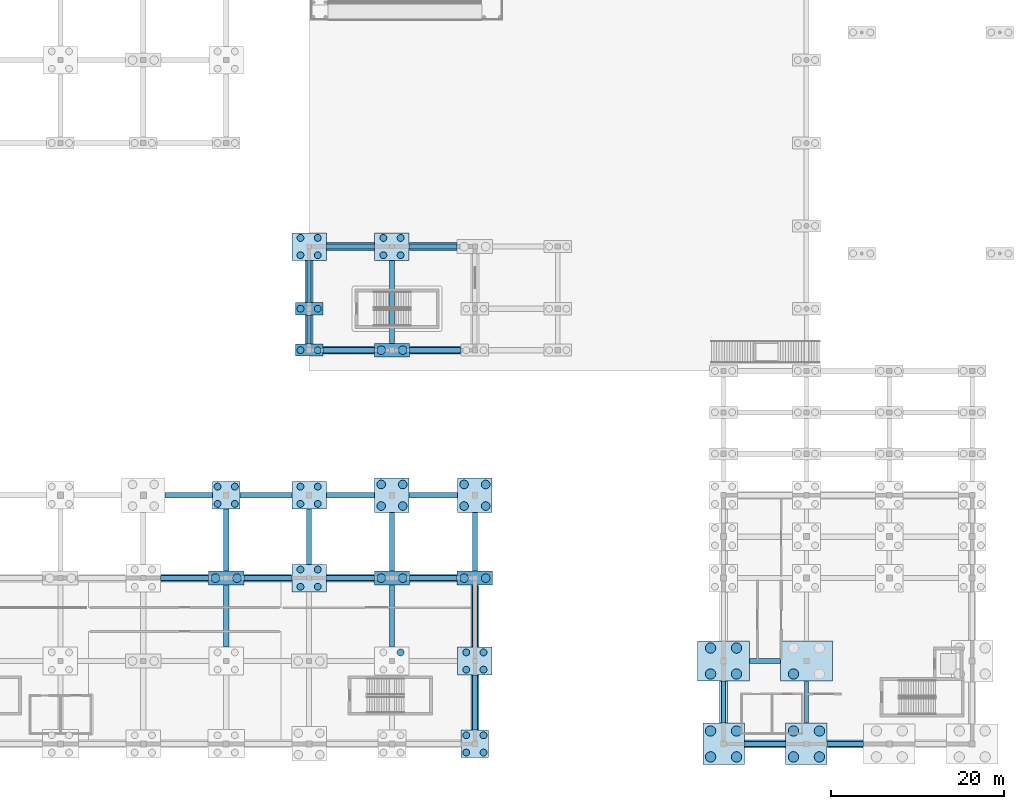
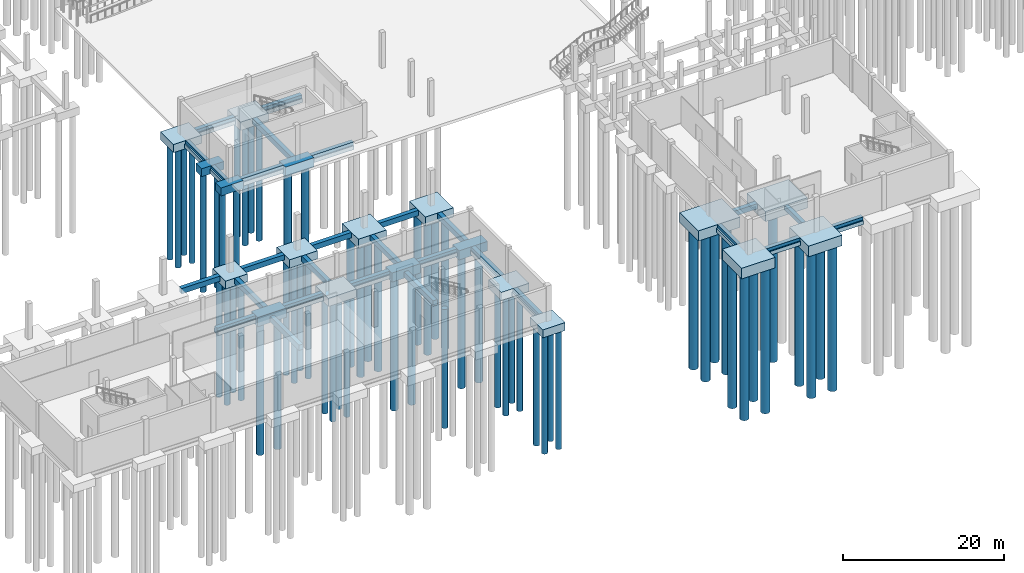
# One storey, part 2 of 41: 62 footings, 62 piles.
"""IFC4 building model written with IfcOpenShell, lengths in metres."""

import ifcopenshell
import ifcopenshell.guid

model = None  # the IFC model being written
_history = None  # IfcOwnerHistory: only IFC2X3 demands one
_inside = {}  # id of a spatial element -> (the spatial element, [elements in it])
_under = {}  # id of a project, library or spatial element -> (it, [spatial elements below it])
_declared = {}  # id of a project -> (the project, [libraries it declares])
_typed = {}  # id of a type object -> (the type object, [elements of that type])
_made_of = {}  # id of a material, layer set ... -> (it, [elements and type objects made of it])


def new_model(schema):
    """Start an empty IFC model of exactly this schema.

    Asked for "IFC4X3", IfcOpenShell would pick the latest addendum, in which some entities
    have other attributes; the version numbers below select the first issue.
    IFC2X3 requires an IfcOwnerHistory on every rooted entity: one is made here for all.
    """
    global model, _history
    if schema == "IFC4X3":
        model = ifcopenshell.file(schema_version=(4, 3, 0, 0))
    else:
        model = ifcopenshell.file(schema=schema)
    _inside.clear()
    _under.clear()
    _declared.clear()
    _typed.clear()
    _made_of.clear()
    _history = None
    if model.schema == "IFC2X3":
        org = make("IfcOrganization", Name="unknown")
        user = make(
            "IfcPersonAndOrganization",
            ThePerson=make("IfcPerson", FamilyName="unknown"),
            TheOrganization=org,
        )
        app = make(
            "IfcApplication",
            ApplicationDeveloper=org,
            Version="unknown",
            ApplicationFullName="unknown",
            ApplicationIdentifier="unknown",
        )
        _history = make(
            "IfcOwnerHistory",
            OwningUser=user,
            OwningApplication=app,
            ChangeAction="ADDED",
            CreationDate=0,
        )
    return model


def make(cls, **values):
    """One entity of the class cls with the attributes given. An attribute that is None is left unset."""
    return model.create_entity(
        cls, **{name: value for name, value in values.items() if value is not None}
    )


def rooted(cls, **values):
    """An entity with a GlobalId (a new one), such as an element, a storey or a relation."""
    return make(cls, GlobalId=ifcopenshell.guid.new(), OwnerHistory=_history, **values)


def si_unit(unit_type, name, prefix=None):
    """IfcSIUnit, for example si_unit("LENGTHUNIT", "METRE", prefix="MILLI")."""
    return make("IfcSIUnit", UnitType=unit_type, Prefix=prefix, Name=name)


def assignment(units):
    """IfcUnitAssignment: the units of a project."""
    return None if units is None else make("IfcUnitAssignment", Units=units)


def point(xyz):
    """IfcCartesianPoint."""
    return None if xyz is None else make("IfcCartesianPoint", Coordinates=xyz)


def direction(xyz):
    """IfcDirection."""
    return None if xyz is None else make("IfcDirection", DirectionRatios=xyz)


def frame(location, z_axis=None, x_axis=None):
    """IfcAxis2Placement3D, a coordinate frame: its origin and axes. An axis left out is left unset."""
    return make(
        "IfcAxis2Placement3D",
        Location=point(location),
        Axis=direction(z_axis),
        RefDirection=direction(x_axis),
    )


def frame_2d(location, x_axis=None):
    """IfcAxis2Placement2D, a coordinate frame in the plane: its origin and x axis."""
    return make(
        "IfcAxis2Placement2D", Location=point(location), RefDirection=direction(x_axis)
    )


def origin():
    """The frame at (0, 0, 0) with its axes left unset."""
    return frame((0.0, 0.0, 0.0))


def origin_2d():
    """The frame at (0, 0) in the plane with its x axis left unset."""
    return frame_2d((0.0, 0.0))


def place(relative_to, where):
    """IfcLocalPlacement: puts the frame where relative to a parent placement (None: the world)."""
    return make(
        "IfcLocalPlacement", PlacementRelTo=relative_to, RelativePlacement=where
    )


def context(
    kind, dimensions, precision=None, world=None, true_north=None, identifier=None
):
    """IfcGeometricRepresentationContext, for example the 3D "Model" context."""
    return make(
        "IfcGeometricRepresentationContext",
        ContextIdentifier=identifier,
        ContextType=kind,
        CoordinateSpaceDimension=dimensions,
        Precision=precision,
        WorldCoordinateSystem=world,
        TrueNorth=true_north,
    )


def subcontext(parent, identifier, kind, view, scale=None):
    """IfcGeometricRepresentationSubContext, for example "Body" below "Model"."""
    return make(
        "IfcGeometricRepresentationSubContext",
        ContextIdentifier=identifier,
        ContextType=kind,
        ParentContext=parent,
        TargetScale=scale,
        TargetView=view,
    )


def project(units=None, contexts=None):
    """IfcProject with its units and contexts."""
    return rooted(
        "IfcProject",
        Name="project",
        RepresentationContexts=contexts,
        UnitsInContext=assignment(units),
    )


def spatial(cls, under=None, at=None, **own):
    """A site, building, storey or space (cls), placed at a placement, below another one or the project."""
    s = rooted(cls, ObjectPlacement=at, **own)
    if under is not None:
        _under.setdefault(under.id(), (under, []))[1].append(s)
    return s


def profile(cls, at=None, kind="AREA", **sizes):
    """A parametric profile (cls). Its sizes go by their IFC names, for example OverallWidth=200.0."""
    return make(cls, ProfileType=kind, Position=at, **sizes)


def rectangle(**sizes):
    """IfcRectangleProfileDef."""
    return profile("IfcRectangleProfileDef", **sizes)


def circle(**sizes):
    """IfcCircleProfileDef."""
    return profile("IfcCircleProfileDef", **sizes)


def extrude(swept, where, along, depth):
    """IfcExtrudedAreaSolid: the profile swept, set in the frame where, extruded along a direction by depth."""
    return make(
        "IfcExtrudedAreaSolid",
        SweptArea=swept,
        Position=where,
        ExtrudedDirection=direction(along),
        Depth=depth,
    )


def shape(context_of_items, identifier, shape_type, items):
    """IfcShapeRepresentation: the items that make up one representation, for example the "Body"."""
    return make(
        "IfcShapeRepresentation",
        ContextOfItems=context_of_items,
        RepresentationIdentifier=identifier,
        RepresentationType=shape_type,
        Items=items,
    )


def material(Name=None, Category=None):
    """IfcMaterial."""
    return make("IfcMaterial", Name=Name, Category=Category)


def material_profile(
    of_material, cross_section, Name=None, Category=None, Priority=None
):
    """IfcMaterialProfile: a cross section and its material."""
    return make(
        "IfcMaterialProfile",
        Name=Name,
        Material=of_material,
        Profile=cross_section,
        Priority=Priority,
        Category=Category,
    )


def profile_set(profiles, Name=None, composite=None):
    """IfcMaterialProfileSet."""
    return make(
        "IfcMaterialProfileSet",
        Name=Name,
        MaterialProfiles=profiles,
        CompositeProfile=composite,
    )


def made_of(thing, what):
    """Note that an element or type object is made of a material, layer set ...; save() writes the relation."""
    if what is not None:
        _made_of.setdefault(what.id(), (what, []))[1].append(thing)
    return thing


def type_object(cls, material=None, **own):
    """A type object (cls), such as IfcWallType, which elements share."""
    return made_of(rooted(cls, **own), material)


def element(
    cls,
    number,
    at=None,
    inside=None,
    cuts=None,
    type_object=None,
    material=None,
    context=None,
    identifier="Body",
    shape_type=None,
    held_by="IfcProductDefinitionShape",
    body=None,
    shapes=None,
    **own,
):
    """One element of the class cls, such as IfcWall. Its Tag is "e" and its number.

    at: its placement. inside: the storey or other place that contains it. cuts: it is an
    opening in that element (IfcRelVoidsElement). A single representation is given by context,
    identifier, shape_type and body (its items); several are given by shapes. held_by: the class
    of the entity that holds the representations. save() writes the other relations.
    """
    e = rooted(cls, Tag="e%d" % number, ObjectPlacement=at, **own)
    if body is not None:
        shapes = [shape(context, identifier, shape_type, body)]
    if shapes is not None:
        e.Representation = make(held_by, Representations=shapes)
    if inside is not None:
        _inside.setdefault(inside.id(), (inside, []))[1].append(e)
    if cuts is not None:
        rooted(
            "IfcRelVoidsElement", RelatingBuildingElement=cuts, RelatedOpeningElement=e
        )
    if type_object is not None:
        _typed.setdefault(type_object.id(), (type_object, []))[1].append(e)
    return made_of(e, material)


def aggregate(whole, parts):
    """IfcRelAggregates: a whole, such as a stair, and the parts it consists of."""
    return rooted("IfcRelAggregates", RelatingObject=whole, RelatedObjects=parts)


def save(model, path):
    """Write the relations noted so far, then the file.

    IfcRelAggregates (storeys below a building ...), IfcRelContainedInSpatialStructure (elements
    in a storey), IfcRelDefinesByType, IfcRelAssociatesMaterial and IfcRelDeclares: one each for
    every whole, place, type object, material and project.
    """
    for whole, parts in _under.values():
        aggregate(whole, parts)
    for where, things in _inside.values():
        rooted(
            "IfcRelContainedInSpatialStructure",
            RelatedElements=things,
            RelatingStructure=where,
        )
    for kind, things in _typed.values():
        rooted("IfcRelDefinesByType", RelatedObjects=things, RelatingType=kind)
    for what, things in _made_of.values():
        rooted("IfcRelAssociatesMaterial", RelatedObjects=things, RelatingMaterial=what)
    for by, libraries in _declared.values():
        rooted("IfcRelDeclares", RelatingContext=by, RelatedDefinitions=libraries)
    model.write(path)


model = new_model("IFC4")

# Units and contexts
model_context = context("Model", 3, precision=1e-05, world=origin(), true_north=direction((0.0, 1.0)))
body_context = subcontext(model_context, "Body", "Model", "MODEL_VIEW")
ifc_project = project(units=[si_unit("LENGTHUNIT", "METRE"), si_unit("AREAUNIT", "SQUARE_METRE"), si_unit("VOLUMEUNIT", "CUBIC_METRE"), si_unit("PLANEANGLEUNIT", "RADIAN"), si_unit("MASSUNIT", "GRAM", prefix="KILO")], contexts=[model_context])

# Site, building, storey
site_placement = place(None, origin())
site = spatial("IfcSite", under=ifc_project, at=site_placement, CompositionType="ELEMENT")
building_placement = place(site_placement, origin())
building = spatial("IfcBuilding", under=site, at=building_placement, Name="Shalvenor Court Art Gallery", CompositionType="ELEMENT")
storey_placement = place(building_placement, frame((0.0, 0.0, -5.39990234375)))
storey = spatial("IfcBuildingStorey", under=building, at=storey_placement, Name="B01", CompositionType="ELEMENT", Elevation=-5.39990234375)

# Footings
ifc_material_1 = material(Name="Concrete C35/45", Category="concrete")
footing_type_1 = type_object("IfcFootingType", Name="GB-01", PredefinedType="FOOTING_BEAM", material=ifc_material_1)
for number, where, z_axis, x_axis, name in (
    (1, (38.39990234375, 14.800048828125, -1.240234375), (0.0, 0.0, 1.0), (0.0, 1.0, 0.0), "B01 Ground Tie Beam FTG-222"),
    (2, (38.39990234375, 23.60009765625, -0.80029296875), (0.0, 0.0, 1.0), (0.0, 1.0, 0.0), "B01 Ground Tie Beam FTG-223"),
):
    element("IfcFooting", number, at=place(storey_placement, frame(where, z_axis=z_axis, x_axis=x_axis)), inside=storey, type_object=footing_type_1, Name=name, PredefinedType="FOOTING_BEAM", context=body_context, shape_type="SweptSolid", body=[
        extrude(rectangle(XDim=7.199951171875, YDim=0.60009765625, at=origin_2d()), origin(), (0.0, 0.0, 1.0), 0.800048828125),
    ])
footing_1_placement = place(storey_placement, frame((48.0, 24.0, -0.80029296875), z_axis=(0.0, 0.0, 1.0), x_axis=(0.0, 1.0, 0.0)))
element("IfcFooting", 3, at=footing_1_placement, inside=storey, type_object=footing_type_1, Name="B01 Ground Tie Beam FTG-232", PredefinedType="FOOTING_BEAM", context=body_context, shape_type="SweptSolid", body=[
    extrude(rectangle(XDim=6.39990234375, YDim=0.60009765625, at=origin_2d()), origin(), (0.0, 0.0, 1.0), 0.800048828125),
])
footing_2_placement = place(storey_placement, frame((57.60009765625, 14.800048828125, -1.240234375), z_axis=(0.0, 0.0, 1.0), x_axis=(0.0, 1.0, 0.0)))
element("IfcFooting", 4, at=footing_2_placement, inside=storey, type_object=footing_type_1, Name="B01 Ground Tie Beam FTG-236", PredefinedType="FOOTING_BEAM", context=body_context, shape_type="SweptSolid", body=[
    extrude(rectangle(XDim=7.199951171875, YDim=0.60009765625, at=origin_2d()), origin(), (0.0, 0.0, 1.0), 0.800048828125),
])
footing_3_placement = place(storey_placement, frame((57.60009765625, 23.39990234375, -0.80029296875), z_axis=(0.0, 0.0, 1.0), x_axis=(0.0, 1.0, 0.0)))
element("IfcFooting", 5, at=footing_3_placement, inside=storey, type_object=footing_type_1, Name="B01 Ground Tie Beam FTG-237", PredefinedType="FOOTING_BEAM", context=body_context, shape_type="SweptSolid", body=[
    extrude(rectangle(XDim=6.800048828125, YDim=0.60009765625, at=origin_2d()), origin(), (0.0, 0.0, 1.0), 0.800048828125),
])
footing_4_placement = place(storey_placement, frame((57.60009765625, 51.199951171875, -0.80029296875), z_axis=(0.0, 0.0, 1.0), x_axis=(0.0, 1.0, 0.0)))
element("IfcFooting", 6, at=footing_4_placement, inside=storey, type_object=footing_type_1, Name="B01 Ground Tie Beam FTG-238", PredefinedType="FOOTING_BEAM", context=body_context, shape_type="SweptSolid", body=[
    extrude(rectangle(XDim=9.60009765625, YDim=0.60009765625, at=origin_2d()), origin(), (0.0, 0.0, 1.0), 0.800048828125),
])
footing_5_placement = place(storey_placement, frame((67.199951171875, 4.800048828125, -0.80029296875), z_axis=(0.0, 0.0, 1.0), x_axis=(0.0, 1.0, 0.0)))
element("IfcFooting", 7, at=footing_5_placement, inside=storey, type_object=footing_type_1, Name="B01 Ground Tie Beam FTG-242", PredefinedType="FOOTING_BEAM", context=body_context, shape_type="SweptSolid", body=[
    extrude(rectangle(XDim=6.39990234375, YDim=0.60009765625, at=origin_2d()), origin(), (0.0, 0.0, 1.0), 0.800048828125),
])
footing_6_placement = place(storey_placement, frame((67.199951171875, 14.800048828125, -0.80029296875), z_axis=(0.0, 0.0, 1.0), x_axis=(0.0, 1.0, 0.0)))
element("IfcFooting", 8, at=footing_6_placement, inside=storey, type_object=footing_type_1, Name="B01 Ground Tie Beam FTG-243", PredefinedType="FOOTING_BEAM", context=body_context, shape_type="SweptSolid", body=[
    extrude(rectangle(XDim=7.199951171875, YDim=0.60009765625, at=origin_2d()), origin(), (0.0, 0.0, 1.0), 0.800048828125),
])
footing_7_placement = place(storey_placement, frame((67.199951171875, 23.39990234375, -0.80029296875), z_axis=(0.0, 0.0, 1.0), x_axis=(0.0, 1.0, 0.0)))
element("IfcFooting", 9, at=footing_7_placement, inside=storey, type_object=footing_type_1, Name="B01 Ground Tie Beam FTG-244", PredefinedType="FOOTING_BEAM", context=body_context, shape_type="SweptSolid", body=[
    extrude(rectangle(XDim=6.800048828125, YDim=0.60009765625, at=origin_2d()), origin(), (0.0, 0.0, 1.0), 0.800048828125),
])
footing_8_placement = place(storey_placement, frame((100.800048828125, 0.0, -0.80029296875), z_axis=(0.0, 0.0, 1.0), x_axis=(1.0, 0.0, 0.0)))
element("IfcFooting", 10, at=footing_8_placement, inside=storey, type_object=footing_type_1, Name="B01 Ground Tie Beam FTG-341", PredefinedType="FOOTING_BEAM", context=body_context, shape_type="SweptSolid", body=[
    extrude(rectangle(XDim=4.800048828125, YDim=0.60009765625, at=origin_2d()), origin(), (0.0, 0.0, 1.0), 0.800048828125),
])
footing_9_placement = place(storey_placement, frame((110.10009765625, 0.0, -0.80029296875), z_axis=(0.0, 0.0, 1.0), x_axis=(1.0, 0.0, 0.0)))
element("IfcFooting", 11, at=footing_9_placement, inside=storey, type_object=footing_type_1, Name="B01 Ground Tie Beam FTG-342", PredefinedType="FOOTING_BEAM", context=body_context, shape_type="SweptSolid", body=[
    extrude(rectangle(XDim=4.199951171875, YDim=0.60009765625, at=origin_2d()), origin(), (0.0, 0.0, 1.0), 0.800048828125),
])
footing_10_placement = place(storey_placement, frame((100.800048828125, 9.60009765625, -1.240234375), z_axis=(0.0, 0.0, 1.0), x_axis=(1.0, 0.0, 0.0)))
element("IfcFooting", 12, at=footing_10_placement, inside=storey, type_object=footing_type_1, Name="B01 Ground Tie Beam FTG-351", PredefinedType="FOOTING_BEAM", context=body_context, shape_type="SweptSolid", body=[
    extrude(rectangle(XDim=3.60009765625, YDim=0.60009765625, at=origin_2d()), origin(), (0.0, 0.0, 1.0), 0.800048828125),
])
for number, where, z_axis, x_axis, name in (
    (13, (33.574951171875, 19.199951171875, -0.80029296875), (0.0, 0.0, 1.0), (1.0, 0.0, 0.0), "B01 Ground Tie Beam FTG-355"),
    (14, (43.22509765625, 19.199951171875, -0.80029296875), (0.0, 0.0, 1.0), (1.0, 0.0, 0.0), "B01 Ground Tie Beam FTG-356"),
    (15, (52.77490234375, 19.199951171875, -0.80029296875), (0.0, 0.0, 1.0), (1.0, 0.0, 0.0), "B01 Ground Tie Beam FTG-357"),
):
    element("IfcFooting", number, at=place(storey_placement, frame(where, z_axis=z_axis, x_axis=x_axis)), inside=storey, type_object=footing_type_1, Name=name, PredefinedType="FOOTING_BEAM", context=body_context, shape_type="SweptSolid", body=[
        extrude(rectangle(XDim=5.550048828125, YDim=0.60009765625, at=origin_2d()), origin(), (0.0, 0.0, 1.0), 0.800048828125),
    ])
for number, where, z_axis, x_axis, name in (
    (16, (62.39990234375, 19.199951171875, -0.80029296875), (0.0, 0.0, 1.0), (1.0, 0.0, 0.0), "B01 Ground Tie Beam FTG-358"),
    (17, (34.050048828125, 28.800048828125, -0.80029296875), (0.0, 0.0, 1.0), (1.0, 0.0, 0.0), "B01 Ground Tie Beam FTG-368"),
):
    element("IfcFooting", number, at=place(storey_placement, frame(where, z_axis=z_axis, x_axis=x_axis)), inside=storey, type_object=footing_type_1, Name=name, PredefinedType="FOOTING_BEAM", context=body_context, shape_type="SweptSolid", body=[
        extrude(rectangle(XDim=5.5, YDim=0.60009765625, at=origin_2d()), origin(), (0.0, 0.0, 1.0), 0.800048828125),
    ])
footing_11_placement = place(storey_placement, frame((43.0, 28.800048828125, -0.80029296875), z_axis=(0.0, 0.0, 1.0), x_axis=(1.0, 0.0, 0.0)))
element("IfcFooting", 18, at=footing_11_placement, inside=storey, type_object=footing_type_1, Name="B01 Ground Tie Beam FTG-369", PredefinedType="FOOTING_BEAM", context=body_context, shape_type="SweptSolid", body=[
    extrude(rectangle(XDim=6.0, YDim=0.60009765625, at=origin_2d()), origin(), (0.0, 0.0, 1.0), 0.800048828125),
])
for number, where, z_axis, x_axis, name in (
    (19, (52.800048828125, 28.800048828125, -0.80029296875), (0.0, 0.0, 1.0), (1.0, 0.0, 0.0), "B01 Ground Tie Beam FTG-370"),
    (20, (62.39990234375, 28.800048828125, -0.80029296875), (0.0, 0.0, 1.0), (1.0, 0.0, 0.0), "B01 Ground Tie Beam FTG-371"),
):
    element("IfcFooting", number, at=place(storey_placement, frame(where, z_axis=z_axis, x_axis=x_axis)), inside=storey, type_object=footing_type_1, Name=name, PredefinedType="FOOTING_BEAM", context=body_context, shape_type="SweptSolid", body=[
        extrude(rectangle(XDim=5.60009765625, YDim=0.60009765625, at=origin_2d()), origin(), (0.0, 0.0, 1.0), 0.800048828125),
    ])
for number, where, z_axis, x_axis, name in (
    (21, (52.574951171875, 45.60009765625, -0.80029296875), (0.0, 0.0, 1.0), (1.0, 0.0, 0.0), "B01 Ground Tie Beam FTG-384"),
    (22, (62.625, 45.60009765625, -0.80029296875), (0.0, 0.0, 1.0), (1.0, 0.0, 0.0), "B01 Ground Tie Beam FTG-385"),
):
    element("IfcFooting", number, at=place(storey_placement, frame(where, z_axis=z_axis, x_axis=x_axis)), inside=storey, type_object=footing_type_1, Name=name, PredefinedType="FOOTING_BEAM", context=body_context, shape_type="SweptSolid", body=[
        extrude(rectangle(XDim=5.949951171875, YDim=0.60009765625, at=origin_2d()), origin(), (0.0, 0.0, 1.0), 0.800048828125),
    ])
footing_12_placement = place(storey_placement, frame((52.800048828125, 57.60009765625, -0.80029296875), z_axis=(0.0, 0.0, 1.0), x_axis=(1.0, 0.0, 0.0)))
element("IfcFooting", 23, at=footing_12_placement, inside=storey, type_object=footing_type_1, Name="B01 Ground Tie Beam FTG-398", PredefinedType="FOOTING_BEAM", context=body_context, shape_type="SweptSolid", body=[
    extrude(rectangle(XDim=5.60009765625, YDim=0.60009765625, at=origin_2d()), origin(), (0.0, 0.0, 1.0), 0.800048828125),
])
footing_13_placement = place(storey_placement, frame((62.375, 57.60009765625, -0.80029296875), z_axis=(0.0, 0.0, 1.0), x_axis=(1.0, 0.0, 0.0)))
element("IfcFooting", 24, at=footing_13_placement, inside=storey, type_object=footing_type_1, Name="B01 Ground Tie Beam FTG-399", PredefinedType="FOOTING_BEAM", context=body_context, shape_type="SweptSolid", body=[
    extrude(rectangle(XDim=5.550048828125, YDim=0.60009765625, at=origin_2d()), origin(), (0.0, 0.0, 1.0), 0.800048828125),
])
ifc_material_2 = material(Name="Concrete C35/45", Category="concrete")
footing_type_2 = type_object("IfcFootingType", Name="GB-02", PredefinedType="FOOTING_BEAM", material=ifc_material_2)
footing_14_placement = place(storey_placement, frame((48.0, 48.0, -0.7001953125), z_axis=(0.0, 0.0, 1.0), x_axis=(0.0, 1.0, 0.0)))
element("IfcFooting", 25, at=footing_14_placement, inside=storey, type_object=footing_type_2, Name="B01 Ground Tie Beam FTG-233", PredefinedType="FOOTING_BEAM", context=body_context, shape_type="SweptSolid", body=[
    extrude(rectangle(XDim=3.39990234375, YDim=0.5, at=origin_2d()), origin(), (0.0, 0.0, 1.0), 0.699951171875),
])
for number, where, z_axis, x_axis, name in (
    (26, (48.0, 53.550048828125, -0.7001953125), (0.0, 0.0, 1.0), (0.0, 1.0, 0.0), "B01 Ground Tie Beam FTG-234"),
    (27, (96.0, 4.85009765625, -0.7001953125), (0.0, 0.0, 1.0), (0.0, 1.0, 0.0), "B01 Ground Tie Beam FTG-258"),
    (28, (105.60009765625, 4.85009765625, -1.14013671875), (0.0, 0.0, 1.0), (0.0, 1.0, 0.0), "B01 Ground Tie Beam FTG-268"),
):
    element("IfcFooting", number, at=place(storey_placement, frame(where, z_axis=z_axis, x_axis=x_axis)), inside=storey, type_object=footing_type_2, Name=name, PredefinedType="FOOTING_BEAM", context=body_context, shape_type="SweptSolid", body=[
        extrude(rectangle(XDim=4.89990234375, YDim=0.5, at=origin_2d()), origin(), (0.0, 0.0, 1.0), 0.699951171875),
    ])
ifc_material_3 = material(Name="Concrete C35/45", Category="concrete")
footing_type_3 = type_object("IfcFootingType", Name="PC-01", PredefinedType="PILE_CAP", material=ifc_material_3)
for number, where, z_axis, x_axis, name in (
    (29, (48.0, 45.60009765625, -1.2001953125), (0.0, 0.0, 1.0), (1.0, 0.0, 0.0), "B01 Pile Cap FTG-058"),
    (30, (48.0, 50.39990234375, -1.2001953125), (0.0, 0.0, 1.0), (1.0, 0.0, 0.0), "B01 Pile Cap FTG-059"),
):
    element("IfcFooting", number, at=place(storey_placement, frame(where, z_axis=z_axis, x_axis=x_axis)), inside=storey, type_object=footing_type_3, Name=name, PredefinedType="PILE_CAP", context=body_context, shape_type="SweptSolid", body=[
        extrude(rectangle(XDim=3.199951171875, YDim=1.39990234375, at=origin_2d()), origin(), (0.0, 0.0, 1.0), 1.199951171875),
    ])
ifc_material_4 = material(Name="Concrete C35/45", Category="concrete")
footing_type_4 = type_object("IfcFootingType", Name="PC-02", PredefinedType="PILE_CAP", material=ifc_material_4)
for number, where, z_axis, x_axis, name in (
    (31, (38.39990234375, 28.800048828125, -1.2001953125), (0.0, 0.0, 1.0), (1.0, 0.0, 0.0), "B01 Pile Cap FTG-046"),
    (32, (67.199951171875, 0.0, -1.2001953125), (0.0, 0.0, 1.0), (1.0, 0.0, 0.0), "B01 Pile Cap FTG-071"),
):
    element("IfcFooting", number, at=place(storey_placement, frame(where, z_axis=z_axis, x_axis=x_axis)), inside=storey, type_object=footing_type_4, Name=name, PredefinedType="PILE_CAP", context=body_context, shape_type="SweptSolid", body=[
        extrude(rectangle(XDim=3.199951171875, YDim=3.199951171875, at=origin_2d()), origin(), (0.0, 0.0, 1.0), 1.199951171875),
    ])
ifc_material_5 = material(Name="Concrete C35/45", Category="concrete")
footing_type_5 = type_object("IfcFootingType", Name="PC-03", PredefinedType="PILE_CAP", material=ifc_material_5)
for number, where, z_axis, x_axis, name in (
    (33, (48.0, 19.199951171875, -1.25), (0.0, 0.0, 1.0), (1.0, 0.0, 0.0), "B01 Pile Cap FTG-056"),
    (34, (48.0, 28.800048828125, -1.25), (0.0, 0.0, 1.0), (1.0, 0.0, 0.0), "B01 Pile Cap FTG-057"),
    (35, (48.0, 57.60009765625, -1.25), (0.0, 0.0, 1.0), (1.0, 0.0, 0.0), "B01 Pile Cap FTG-060"),
    (36, (57.60009765625, 57.60009765625, -1.25), (0.0, 0.0, 1.0), (1.0, 0.0, 0.0), "B01 Pile Cap FTG-066"),
    (37, (67.199951171875, 9.60009765625, -1.25), (0.0, 0.0, 1.0), (1.0, 0.0, 0.0), "B01 Pile Cap FTG-072"),
):
    element("IfcFooting", number, at=place(storey_placement, frame(where, z_axis=z_axis, x_axis=x_axis)), inside=storey, type_object=footing_type_5, Name=name, PredefinedType="PILE_CAP", context=body_context, shape_type="SweptSolid", body=[
        extrude(rectangle(XDim=4.0, YDim=3.199951171875, at=origin_2d()), origin(), (0.0, 0.0, 1.0), 1.25),
    ])
ifc_material_6 = material(Name="Concrete C35/45", Category="concrete")
footing_type_6 = type_object("IfcFootingType", Name="PC-05", PredefinedType="PILE_CAP", material=ifc_material_6)
for number, where, z_axis, x_axis, name in (
    (38, (38.39990234375, 19.199951171875, -1.400146484375), (0.0, 0.0, 1.0), (1.0, 0.0, 0.0), "B01 Pile Cap FTG-045"),
    (39, (57.60009765625, 19.199951171875, -1.400146484375), (0.0, 0.0, 1.0), (1.0, 0.0, 0.0), "B01 Pile Cap FTG-063"),
    (40, (57.60009765625, 45.60009765625, -1.400146484375), (0.0, 0.0, 1.0), (1.0, 0.0, 0.0), "B01 Pile Cap FTG-065"),
    (41, (67.199951171875, 19.199951171875, -1.400146484375), (0.0, 0.0, 1.0), (1.0, 0.0, 0.0), "B01 Pile Cap FTG-073"),
):
    element("IfcFooting", number, at=place(storey_placement, frame(where, z_axis=z_axis, x_axis=x_axis)), inside=storey, type_object=footing_type_6, Name=name, PredefinedType="PILE_CAP", context=body_context, shape_type="SweptSolid", body=[
        extrude(rectangle(XDim=4.10009765625, YDim=1.60009765625, at=origin_2d()), origin(), (0.0, 0.0, 1.0), 1.39990234375),
    ])
ifc_material_7 = material(Name="Concrete C35/45", Category="concrete")
footing_type_7 = type_object("IfcFootingType", Name="PC-06", PredefinedType="PILE_CAP", material=ifc_material_7)
for number, where, z_axis, x_axis, name in (
    (42, (57.60009765625, 28.800048828125, -1.400146484375), (0.0, 0.0, 1.0), (1.0, 0.0, 0.0), "B01 Pile Cap FTG-064"),
    (43, (67.199951171875, 28.800048828125, -1.400146484375), (0.0, 0.0, 1.0), (1.0, 0.0, 0.0), "B01 Pile Cap FTG-074"),
):
    element("IfcFooting", number, at=place(storey_placement, frame(where, z_axis=z_axis, x_axis=x_axis)), inside=storey, type_object=footing_type_7, Name=name, PredefinedType="PILE_CAP", context=body_context, shape_type="SweptSolid", body=[
        extrude(rectangle(XDim=4.0, YDim=4.0, at=origin_2d()), origin(), (0.0, 0.0, 1.0), 1.39990234375),
    ])
ifc_material_8 = material(Name="Concrete C35/45", Category="concrete")
footing_type_8 = type_object("IfcFootingType", Name="PC-08", PredefinedType="PILE_CAP", material=ifc_material_8)
for number, where, z_axis, x_axis, name in (
    (44, (96.0, 0.0, -1.60009765625), (0.0, 0.0, 1.0), (1.0, 0.0, 0.0), "B01 Pile Cap FTG-093"),
    (45, (105.60009765625, 0.0, -1.60009765625), (0.0, 0.0, 1.0), (1.0, 0.0, 0.0), "B01 Pile Cap FTG-105"),
):
    element("IfcFooting", number, at=place(storey_placement, frame(where, z_axis=z_axis, x_axis=x_axis)), inside=storey, type_object=footing_type_8, Name=name, PredefinedType="PILE_CAP", context=body_context, shape_type="SweptSolid", body=[
        extrude(rectangle(XDim=4.800048828125, YDim=4.800048828125, at=origin_2d()), origin(), (0.0, 0.0, 1.0), 1.60009765625),
    ])
ifc_material_9 = material(Name="Concrete C35/45", Category="concrete")
footing_type_9 = type_object("IfcFootingType", Name="PC-09", PredefinedType="PILE_CAP", material=ifc_material_9)
for number, where, z_axis, x_axis, name in (
    (46, (96.0, 9.60009765625, -1.55029296875), (0.0, 0.0, 1.0), (1.0, 0.0, 0.0), "B01 Pile Cap FTG-094"),
    (47, (105.60009765625, 9.60009765625, -1.990234375), (0.0, 0.0, 1.0), (1.0, 0.0, 0.0), "B01 Pile Cap FTG-106"),
):
    element("IfcFooting", number, at=place(storey_placement, frame(where, z_axis=z_axis, x_axis=x_axis)), inside=storey, type_object=footing_type_9, Name=name, PredefinedType="PILE_CAP", context=body_context, shape_type="SweptSolid", body=[
        extrude(rectangle(XDim=6.0, YDim=4.60009765625, at=origin_2d()), origin(), (0.0, 0.0, 1.0), 1.550048828125),
    ])

# Piles
ifc_material_10 = material(Name="Concrete C35/45", Category="concrete")
ifc_material_profile_1 = material_profile(ifc_material_10, circle(Radius=0.5, at=origin_2d()), Name="PILE 1000")
ifc_profile_set_1 = profile_set([ifc_material_profile_1], Name="Concrete C35/45")
pile_type_1 = type_object("IfcPileType", Name="PL-1000", PredefinedType="BORED", material=ifc_profile_set_1)
for number, where, z_axis, x_axis, name in (
    (48, (37.14990234375, 19.199951171875, -1.300048828125), (0.0, 0.0, -1.0), (1.0, 0.0, 0.0), "B01 Bored Pile PIL-PL-1000-0157"),
    (49, (39.64990234375, 19.199951171875, -1.300048828125), (0.0, 0.0, -1.0), (1.0, 0.0, 0.0), "B01 Bored Pile PIL-PL-1000-0158"),
    (50, (56.35009765625, 19.199951171875, -1.300048828125), (0.0, 0.0, -1.0), (1.0, 0.0, 0.0), "B01 Bored Pile PIL-PL-1000-0213"),
    (51, (58.85009765625, 19.199951171875, -1.300048828125), (0.0, 0.0, -1.0), (1.0, 0.0, 0.0), "B01 Bored Pile PIL-PL-1000-0214"),
    (52, (56.35009765625, 27.550048828125, -1.300048828125), (0.0, 0.0, -1.0), (1.0, 0.0, 0.0), "B01 Bored Pile PIL-PL-1000-0215"),
    (53, (58.85009765625, 27.550048828125, -1.300048828125), (0.0, 0.0, -1.0), (1.0, 0.0, 0.0), "B01 Bored Pile PIL-PL-1000-0216"),
    (54, (56.35009765625, 30.050048828125, -1.300048828125), (0.0, 0.0, -1.0), (1.0, 0.0, 0.0), "B01 Bored Pile PIL-PL-1000-0217"),
    (55, (58.85009765625, 30.050048828125, -1.300048828125), (0.0, 0.0, -1.0), (1.0, 0.0, 0.0), "B01 Bored Pile PIL-PL-1000-0218"),
    (56, (56.35009765625, 45.60009765625, -1.300048828125), (0.0, 0.0, -1.0), (1.0, 0.0, 0.0), "B01 Bored Pile PIL-PL-1000-0219"),
    (57, (58.85009765625, 45.60009765625, -1.300048828125), (0.0, 0.0, -1.0), (1.0, 0.0, 0.0), "B01 Bored Pile PIL-PL-1000-0220"),
    (58, (65.949951171875, 19.199951171875, -1.300048828125), (0.0, 0.0, -1.0), (1.0, 0.0, 0.0), "B01 Bored Pile PIL-PL-1000-0249"),
    (59, (68.449951171875, 19.199951171875, -1.300048828125), (0.0, 0.0, -1.0), (1.0, 0.0, 0.0), "B01 Bored Pile PIL-PL-1000-0250"),
    (60, (65.949951171875, 27.550048828125, -1.300048828125), (0.0, 0.0, -1.0), (1.0, 0.0, 0.0), "B01 Bored Pile PIL-PL-1000-0251"),
    (61, (68.449951171875, 27.550048828125, -1.300048828125), (0.0, 0.0, -1.0), (1.0, 0.0, 0.0), "B01 Bored Pile PIL-PL-1000-0252"),
    (62, (65.949951171875, 30.050048828125, -1.300048828125), (0.0, 0.0, -1.0), (1.0, 0.0, 0.0), "B01 Bored Pile PIL-PL-1000-0253"),
    (63, (68.449951171875, 30.050048828125, -1.300048828125), (0.0, 0.0, -1.0), (1.0, 0.0, 0.0), "B01 Bored Pile PIL-PL-1000-0254"),
):
    element("IfcPile", number, at=place(storey_placement, frame(where, z_axis=z_axis, x_axis=x_axis)), inside=storey, type_object=pile_type_1, Name=name, PredefinedType="BORED", context=body_context, shape_type="SweptSolid", body=[
        extrude(circle(Radius=0.5, at=origin_2d()), origin(), (0.0, 0.0, 1.0), 20.0),
    ])
ifc_material_11 = material(Name="Concrete C35/45", Category="concrete")
ifc_material_profile_2 = material_profile(ifc_material_11, circle(Radius=0.60009765625, at=origin_2d()), Name="PILE 1200")
ifc_profile_set_2 = profile_set([ifc_material_profile_2], Name="Concrete C35/45")
pile_type_2 = type_object("IfcPileType", Name="PL-1200", PredefinedType="BORED", material=ifc_profile_set_2)
for number, where, z_axis, x_axis, name in (
    (64, (94.5, -1.5, -1.5), (0.0, 0.0, -1.0), (1.0, 0.0, 0.0), "B01 Bored Pile PIL-PL-1200-0315"),
    (65, (97.5, -1.5, -1.5), (0.0, 0.0, -1.0), (1.0, 0.0, 0.0), "B01 Bored Pile PIL-PL-1200-0316"),
    (66, (94.5, 1.5, -1.5), (0.0, 0.0, -1.0), (1.0, 0.0, 0.0), "B01 Bored Pile PIL-PL-1200-0317"),
    (67, (97.5, 1.5, -1.5), (0.0, 0.0, -1.0), (1.0, 0.0, 0.0), "B01 Bored Pile PIL-PL-1200-0318"),
    (68, (94.5, 8.10009765625, -1.4501953125), (0.0, 0.0, -1.0), (1.0, 0.0, 0.0), "B01 Bored Pile PIL-PL-1200-0319"),
    (69, (97.5, 8.10009765625, -1.4501953125), (0.0, 0.0, -1.0), (1.0, 0.0, 0.0), "B01 Bored Pile PIL-PL-1200-0320"),
    (70, (94.5, 11.10009765625, -1.4501953125), (0.0, 0.0, -1.0), (1.0, 0.0, 0.0), "B01 Bored Pile PIL-PL-1200-0321"),
    (71, (97.5, 11.10009765625, -1.4501953125), (0.0, 0.0, -1.0), (1.0, 0.0, 0.0), "B01 Bored Pile PIL-PL-1200-0322"),
    (72, (104.10009765625, -1.5, -1.5), (0.0, 0.0, -1.0), (1.0, 0.0, 0.0), "B01 Bored Pile PIL-PL-1200-0357"),
    (73, (107.10009765625, -1.5, -1.5), (0.0, 0.0, -1.0), (1.0, 0.0, 0.0), "B01 Bored Pile PIL-PL-1200-0358"),
    (74, (104.10009765625, 1.5, -1.5), (0.0, 0.0, -1.0), (1.0, 0.0, 0.0), "B01 Bored Pile PIL-PL-1200-0359"),
    (75, (107.10009765625, 1.5, -1.5), (0.0, 0.0, -1.0), (1.0, 0.0, 0.0), "B01 Bored Pile PIL-PL-1200-0360"),
    (76, (104.10009765625, 8.10009765625, -1.89013671875), (0.0, 0.0, -1.0), (1.0, 0.0, 0.0), "B01 Bored Pile PIL-PL-1200-0361"),
):
    element("IfcPile", number, at=place(storey_placement, frame(where, z_axis=z_axis, x_axis=x_axis)), inside=storey, type_object=pile_type_2, Name=name, PredefinedType="BORED", context=body_context, shape_type="SweptSolid", body=[
        extrude(circle(Radius=0.60009765625, at=origin_2d()), origin(), (0.0, 0.0, 1.0), 22.0),
    ])
ifc_material_12 = material(Name="Concrete C35/45", Category="concrete")
ifc_material_profile_3 = material_profile(ifc_material_12, circle(Radius=0.39990234375, at=origin_2d()), Name="PILE 800")
ifc_profile_set_3 = profile_set([ifc_material_profile_3], Name="Concrete C35/45")
pile_type_3 = type_object("IfcPileType", Name="PL-800", PredefinedType="BORED", material=ifc_profile_set_3)
for number, where, z_axis, x_axis, name in (
    (77, (37.39990234375, 27.800048828125, -1.10009765625), (0.0, 0.0, -1.0), (1.0, 0.0, 0.0), "B01 Bored Pile PIL-PL-800-0159"),
    (78, (39.39990234375, 27.800048828125, -1.10009765625), (0.0, 0.0, -1.0), (1.0, 0.0, 0.0), "B01 Bored Pile PIL-PL-800-0160"),
    (79, (37.39990234375, 29.800048828125, -1.10009765625), (0.0, 0.0, -1.0), (1.0, 0.0, 0.0), "B01 Bored Pile PIL-PL-800-0161"),
    (80, (39.39990234375, 29.800048828125, -1.10009765625), (0.0, 0.0, -1.0), (1.0, 0.0, 0.0), "B01 Bored Pile PIL-PL-800-0162"),
    (81, (47.0, 18.199951171875, -1.150146484375), (0.0, 0.0, -1.0), (1.0, 0.0, 0.0), "B01 Bored Pile PIL-PL-800-0189"),
    (82, (49.0, 18.199951171875, -1.150146484375), (0.0, 0.0, -1.0), (1.0, 0.0, 0.0), "B01 Bored Pile PIL-PL-800-0190"),
    (83, (47.0, 20.199951171875, -1.150146484375), (0.0, 0.0, -1.0), (1.0, 0.0, 0.0), "B01 Bored Pile PIL-PL-800-0191"),
    (84, (49.0, 20.199951171875, -1.150146484375), (0.0, 0.0, -1.0), (1.0, 0.0, 0.0), "B01 Bored Pile PIL-PL-800-0192"),
    (85, (47.0, 27.800048828125, -1.150146484375), (0.0, 0.0, -1.0), (1.0, 0.0, 0.0), "B01 Bored Pile PIL-PL-800-0193"),
    (86, (49.0, 27.800048828125, -1.150146484375), (0.0, 0.0, -1.0), (1.0, 0.0, 0.0), "B01 Bored Pile PIL-PL-800-0194"),
    (87, (47.0, 29.800048828125, -1.150146484375), (0.0, 0.0, -1.0), (1.0, 0.0, 0.0), "B01 Bored Pile PIL-PL-800-0195"),
    (88, (49.0, 29.800048828125, -1.150146484375), (0.0, 0.0, -1.0), (1.0, 0.0, 0.0), "B01 Bored Pile PIL-PL-800-0196"),
    (89, (47.0, 45.60009765625, -1.10009765625), (0.0, 0.0, -1.0), (1.0, 0.0, 0.0), "B01 Bored Pile PIL-PL-800-0197"),
    (90, (49.0, 45.60009765625, -1.10009765625), (0.0, 0.0, -1.0), (1.0, 0.0, 0.0), "B01 Bored Pile PIL-PL-800-0198"),
    (91, (47.0, 50.39990234375, -1.10009765625), (0.0, 0.0, -1.0), (1.0, 0.0, 0.0), "B01 Bored Pile PIL-PL-800-0199"),
    (92, (49.0, 50.39990234375, -1.10009765625), (0.0, 0.0, -1.0), (1.0, 0.0, 0.0), "B01 Bored Pile PIL-PL-800-0200"),
    (93, (47.0, 56.60009765625, -1.150146484375), (0.0, 0.0, -1.0), (1.0, 0.0, 0.0), "B01 Bored Pile PIL-PL-800-0201"),
    (94, (49.0, 56.60009765625, -1.150146484375), (0.0, 0.0, -1.0), (1.0, 0.0, 0.0), "B01 Bored Pile PIL-PL-800-0202"),
    (95, (47.0, 58.60009765625, -1.150146484375), (0.0, 0.0, -1.0), (1.0, 0.0, 0.0), "B01 Bored Pile PIL-PL-800-0203"),
    (96, (49.0, 58.60009765625, -1.150146484375), (0.0, 0.0, -1.0), (1.0, 0.0, 0.0), "B01 Bored Pile PIL-PL-800-0204"),
    (97, (58.60009765625, 10.60009765625, -1.590087890625), (0.0, 0.0, -1.0), (1.0, 0.0, 0.0), "B01 Bored Pile PIL-PL-800-0212"),
    (98, (56.60009765625, 56.60009765625, -1.150146484375), (0.0, 0.0, -1.0), (1.0, 0.0, 0.0), "B01 Bored Pile PIL-PL-800-0221"),
    (99, (58.60009765625, 56.60009765625, -1.150146484375), (0.0, 0.0, -1.0), (1.0, 0.0, 0.0), "B01 Bored Pile PIL-PL-800-0222"),
    (100, (56.60009765625, 58.60009765625, -1.150146484375), (0.0, 0.0, -1.0), (1.0, 0.0, 0.0), "B01 Bored Pile PIL-PL-800-0223"),
    (101, (58.60009765625, 58.60009765625, -1.150146484375), (0.0, 0.0, -1.0), (1.0, 0.0, 0.0), "B01 Bored Pile PIL-PL-800-0224"),
    (102, (66.199951171875, -1.0, -1.10009765625), (0.0, 0.0, -1.0), (1.0, 0.0, 0.0), "B01 Bored Pile PIL-PL-800-0241"),
    (103, (68.199951171875, -1.0, -1.10009765625), (0.0, 0.0, -1.0), (1.0, 0.0, 0.0), "B01 Bored Pile PIL-PL-800-0242"),
    (104, (66.199951171875, 1.0, -1.10009765625), (0.0, 0.0, -1.0), (1.0, 0.0, 0.0), "B01 Bored Pile PIL-PL-800-0243"),
    (105, (68.199951171875, 1.0, -1.10009765625), (0.0, 0.0, -1.0), (1.0, 0.0, 0.0), "B01 Bored Pile PIL-PL-800-0244"),
    (106, (66.199951171875, 8.60009765625, -1.150146484375), (0.0, 0.0, -1.0), (1.0, 0.0, 0.0), "B01 Bored Pile PIL-PL-800-0245"),
    (107, (68.199951171875, 8.60009765625, -1.150146484375), (0.0, 0.0, -1.0), (1.0, 0.0, 0.0), "B01 Bored Pile PIL-PL-800-0246"),
    (108, (66.199951171875, 10.60009765625, -1.150146484375), (0.0, 0.0, -1.0), (1.0, 0.0, 0.0), "B01 Bored Pile PIL-PL-800-0247"),
    (109, (68.199951171875, 10.60009765625, -1.150146484375), (0.0, 0.0, -1.0), (1.0, 0.0, 0.0), "B01 Bored Pile PIL-PL-800-0248"),
):
    element("IfcPile", number, at=place(storey_placement, frame(where, z_axis=z_axis, x_axis=x_axis)), inside=storey, type_object=pile_type_3, Name=name, PredefinedType="BORED", context=body_context, shape_type="SweptSolid", body=[
        extrude(circle(Radius=0.39990234375, at=origin_2d()), origin(), (0.0, 0.0, 1.0), 18.0),
    ])

# Footings
ifc_material_13 = material(Name="Concrete C35/45", Category="concrete")
footing_type_10 = type_object("IfcFootingType", Name="SF-01", PredefinedType="STRIP_FOOTING", material=ifc_material_13)
footing_15_placement = place(storey_placement, frame((110.10009765625, 0.0, -1.0400390625), z_axis=(0.0, 0.0, 1.0), x_axis=(1.0, 0.0, 0.0)))
element("IfcFooting", 110, at=footing_15_placement, inside=storey, type_object=footing_type_10, Name="B01 Strip Footing FTG-525", PredefinedType="STRIP_FOOTING", context=body_context, shape_type="SweptSolid", body=[
    extrude(rectangle(XDim=4.1201171875, YDim=0.89990234375, at=origin_2d()), origin(), (0.0, 0.0, 1.0), 0.60009765625),
])
footing_16_placement = place(storey_placement, frame((100.800048828125, 0.0, -1.0400390625), z_axis=(0.0, 0.0, 1.0), x_axis=(1.0, 0.0, 0.0)))
element("IfcFooting", 111, at=footing_16_placement, inside=storey, type_object=footing_type_10, Name="B01 Strip Footing FTG-526", PredefinedType="STRIP_FOOTING", context=body_context, shape_type="SweptSolid", body=[
    extrude(rectangle(XDim=4.719970703125, YDim=0.89990234375, at=origin_2d()), origin(), (0.0, 0.0, 1.0), 0.60009765625),
])
footing_17_placement = place(storey_placement, frame((96.0, 4.85009765625, -1.0400390625), z_axis=(0.0, 0.0, 1.0), x_axis=(0.0, 1.0, 0.0)))
element("IfcFooting", 112, at=footing_17_placement, inside=storey, type_object=footing_type_10, Name="B01 Strip Footing FTG-527", PredefinedType="STRIP_FOOTING", context=body_context, shape_type="SweptSolid", body=[
    extrude(rectangle(XDim=4.820068359375, YDim=0.89990234375, at=origin_2d()), origin(), (0.0, 0.0, 1.0), 0.60009765625),
])
for number, where, z_axis, x_axis, name in (
    (113, (33.574951171875, 19.199951171875, -1.0400390625), (0.0, 0.0, 1.0), (1.0, 0.0, 0.0), "B01 Strip Footing FTG-534"),
    (114, (43.22509765625, 19.199951171875, -1.0400390625), (0.0, 0.0, 1.0), (1.0, 0.0, 0.0), "B01 Strip Footing FTG-535"),
    (115, (52.77490234375, 19.199951171875, -1.0400390625), (0.0, 0.0, 1.0), (1.0, 0.0, 0.0), "B01 Strip Footing FTG-536"),
):
    element("IfcFooting", number, at=place(storey_placement, frame(where, z_axis=z_axis, x_axis=x_axis)), inside=storey, type_object=footing_type_10, Name=name, PredefinedType="STRIP_FOOTING", context=body_context, shape_type="SweptSolid", body=[
        extrude(rectangle(XDim=5.469970703125, YDim=0.89990234375, at=origin_2d()), origin(), (0.0, 0.0, 1.0), 0.60009765625),
    ])
footing_18_placement = place(storey_placement, frame((62.39990234375, 19.199951171875, -1.0400390625), z_axis=(0.0, 0.0, 1.0), x_axis=(1.0, 0.0, 0.0)))
element("IfcFooting", 116, at=footing_18_placement, inside=storey, type_object=footing_type_10, Name="B01 Strip Footing FTG-537", PredefinedType="STRIP_FOOTING", context=body_context, shape_type="SweptSolid", body=[
    extrude(rectangle(XDim=5.419921875, YDim=0.89990234375, at=origin_2d()), origin(), (0.0, 0.0, 1.0), 0.60009765625),
])
footing_19_placement = place(storey_placement, frame((67.199951171875, 14.800048828125, -1.0400390625), z_axis=(0.0, 0.0, 1.0), x_axis=(0.0, 1.0, 0.0)))
element("IfcFooting", 117, at=footing_19_placement, inside=storey, type_object=footing_type_10, Name="B01 Strip Footing FTG-538", PredefinedType="STRIP_FOOTING", context=body_context, shape_type="SweptSolid", body=[
    extrude(rectangle(XDim=7.1201171875, YDim=0.89990234375, at=origin_2d()), origin(), (0.0, 0.0, 1.0), 0.60009765625),
])
footing_20_placement = place(storey_placement, frame((67.199951171875, 4.800048828125, -1.0400390625), z_axis=(0.0, 0.0, 1.0), x_axis=(0.0, 1.0, 0.0)))
element("IfcFooting", 118, at=footing_20_placement, inside=storey, type_object=footing_type_10, Name="B01 Strip Footing FTG-539", PredefinedType="STRIP_FOOTING", context=body_context, shape_type="SweptSolid", body=[
    extrude(rectangle(XDim=6.320068359375, YDim=0.89990234375, at=origin_2d()), origin(), (0.0, 0.0, 1.0), 0.60009765625),
])
footing_21_placement = place(storey_placement, frame((52.800048828125, 57.60009765625, -1.030029296875), z_axis=(0.0, 0.0, 1.0), x_axis=(1.0, 0.0, 0.0)))
element("IfcFooting", 119, at=footing_21_placement, inside=storey, type_object=footing_type_10, Name="B01 Strip Footing FTG-559", PredefinedType="STRIP_FOOTING", context=body_context, shape_type="SweptSolid", body=[
    extrude(rectangle(XDim=5.52001953125, YDim=0.89990234375, at=origin_2d()), origin(), (0.0, 0.0, 1.0), 0.60009765625),
])
footing_22_placement = place(storey_placement, frame((62.375, 57.60009765625, -1.030029296875), z_axis=(0.0, 0.0, 1.0), x_axis=(1.0, 0.0, 0.0)))
element("IfcFooting", 120, at=footing_22_placement, inside=storey, type_object=footing_type_10, Name="B01 Strip Footing FTG-560", PredefinedType="STRIP_FOOTING", context=body_context, shape_type="SweptSolid", body=[
    extrude(rectangle(XDim=5.469970703125, YDim=0.89990234375, at=origin_2d()), origin(), (0.0, 0.0, 1.0), 0.60009765625),
])
for number, where, z_axis, x_axis, name in (
    (121, (62.625, 45.60009765625, -1.030029296875), (0.0, 0.0, 1.0), (1.0, 0.0, 0.0), "B01 Strip Footing FTG-563"),
    (122, (52.574951171875, 45.60009765625, -1.030029296875), (0.0, 0.0, 1.0), (1.0, 0.0, 0.0), "B01 Strip Footing FTG-564"),
):
    element("IfcFooting", number, at=place(storey_placement, frame(where, z_axis=z_axis, x_axis=x_axis)), inside=storey, type_object=footing_type_10, Name=name, PredefinedType="STRIP_FOOTING", context=body_context, shape_type="SweptSolid", body=[
        extrude(rectangle(XDim=5.8701171875, YDim=0.89990234375, at=origin_2d()), origin(), (0.0, 0.0, 1.0), 0.60009765625),
    ])
footing_23_placement = place(storey_placement, frame((48.0, 48.0, -1.020263671875), z_axis=(0.0, 0.0, 1.0), x_axis=(0.0, 1.0, 0.0)))
element("IfcFooting", 123, at=footing_23_placement, inside=storey, type_object=footing_type_10, Name="B01 Strip Footing FTG-565", PredefinedType="STRIP_FOOTING", context=body_context, shape_type="SweptSolid", body=[
    extrude(rectangle(XDim=3.320068359375, YDim=0.89990234375, at=origin_2d()), origin(), (0.0, 0.0, 1.0), 0.60009765625),
])
footing_24_placement = place(storey_placement, frame((48.0, 53.550048828125, -1.020263671875), z_axis=(0.0, 0.0, 1.0), x_axis=(0.0, 1.0, 0.0)))
element("IfcFooting", 124, at=footing_24_placement, inside=storey, type_object=footing_type_10, Name="B01 Strip Footing FTG-566", PredefinedType="STRIP_FOOTING", context=body_context, shape_type="SweptSolid", body=[
    extrude(rectangle(XDim=4.820068359375, YDim=0.89990234375, at=origin_2d()), origin(), (0.0, 0.0, 1.0), 0.60009765625),
])

save(model, "model.ifc")
